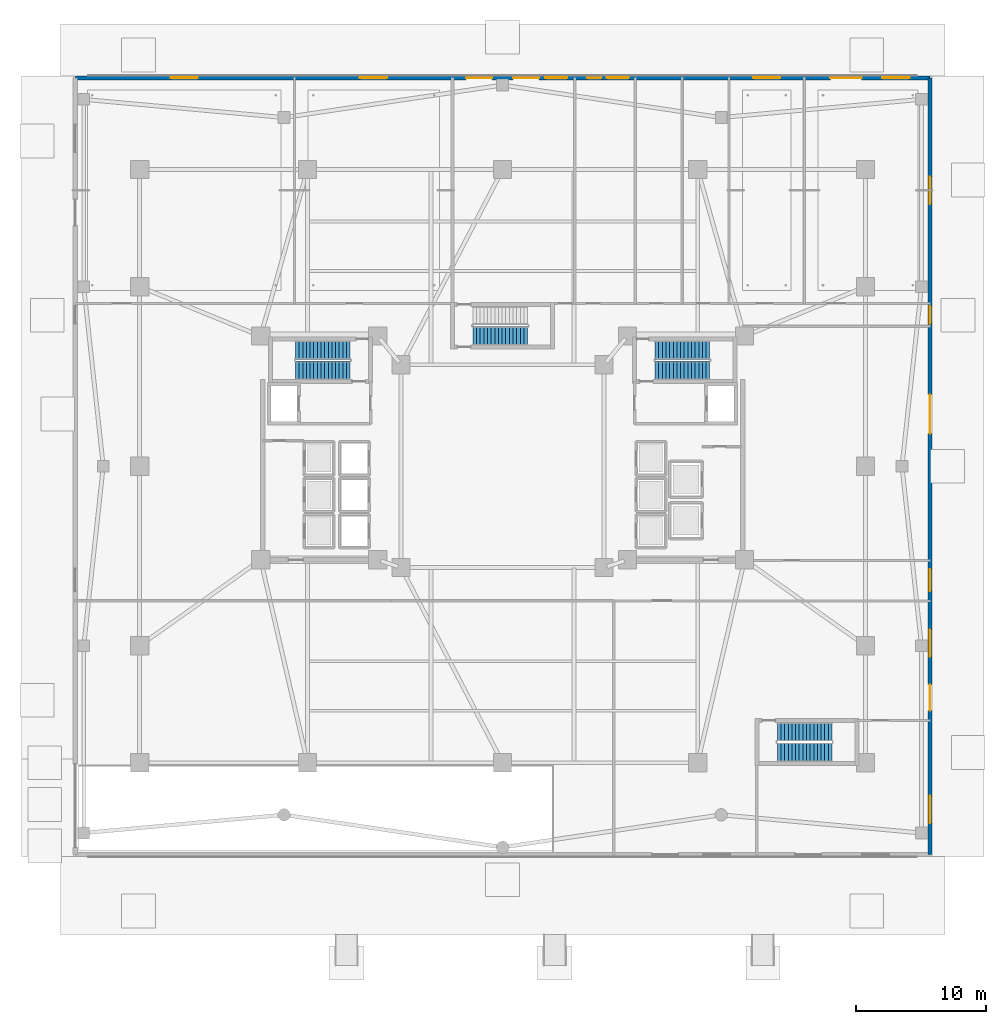
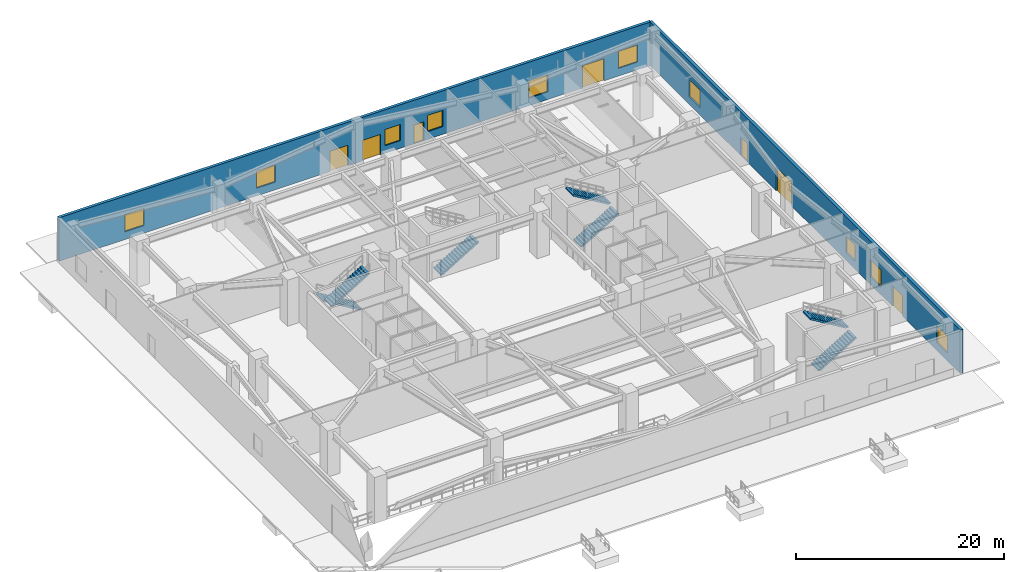
# One storey, part 6 of 18: 10 windows, 7 doors, 7 stair flights, 2 walls, 17 openings, 4 elements without a shape of their own.
"""IFC4 building model written with IfcOpenShell, lengths in metres."""

from ifc_helpers import new_model, si_unit, direction, frame, frame_2d, origin, place, context, subcontext, project, spatial, polyline, rectangle, outline, extrude, material, layer, layer_set, type_object, element, fill, aggregate, save


model = new_model("IFC4")

# Units and contexts
model_context = context("Model", 3, precision=1e-05, world=origin(), true_north=direction((0.0, 1.0)))
body_context = subcontext(model_context, "Body", "Model", "MODEL_VIEW")
ifc_project = project(units=[si_unit("LENGTHUNIT", "METRE"), si_unit("AREAUNIT", "SQUARE_METRE"), si_unit("VOLUMEUNIT", "CUBIC_METRE"), si_unit("PLANEANGLEUNIT", "RADIAN"), si_unit("MASSUNIT", "GRAM", prefix="KILO")], contexts=[model_context])

# Site, building, storey
site_placement = place(None, origin())
site = spatial("IfcSite", under=ifc_project, at=site_placement, CompositionType="ELEMENT")
building_placement = place(site_placement, origin())
building = spatial("IfcBuilding", under=site, at=building_placement, Name="Tarnavaz Court Tower", CompositionType="ELEMENT")
storey_placement = place(building_placement, origin())
storey = spatial("IfcBuildingStorey", under=building, at=storey_placement, Name="L00", CompositionType="ELEMENT", Elevation=0.0)

# Wall, openings, doors, windows
ifc_material_1 = material(Name="Precast Concrete C40/50", Category="concrete")
ifc_layer = layer(ifc_material_1, 0.320068359375)
ifc_layer_set = layer_set([ifc_layer], Name="Precast Concrete C40/50")
wall_type = type_object("IfcWallType", Name="WL-EXT-320", PredefinedType="SOLIDWALL", material=ifc_layer_set)
wall_1_placement = place(storey_placement, frame((-32.85009765625, 29.85009765625, 0.0), z_axis=(0.0, 0.0, 1.0), x_axis=(1.0, 0.0, 0.0)))
wall_1 = element("IfcWall", 1, at=wall_1_placement, inside=storey, type_object=wall_type, Name="L00 Exterior Terracotta Facade Wall 01", PredefinedType="SOLIDWALL", context=body_context, shape_type="SweptSolid", body=[
    extrude(rectangle(XDim=65.7001953125, YDim=0.320068359375, at=frame_2d((32.85009765625, 0.0))), origin(), (0.0, 0.0, 1.0), 5.10009765625),
])
opening_1_placement = place(wall_1_placement, frame((30.050048828125, 0.0, 0.0)))
opening_1 = element("IfcOpeningElement", 2, at=opening_1_placement, cuts=wall_1, Name="Opening EXD1", PredefinedType="OPENING", context=body_context, shape_type="SweptSolid", body=[
    extrude(rectangle(XDim=2.0, YDim=2.39990234375, at=frame_2d((1.0, 1.199951171875))), frame((0.0, 0.169921875, 0.0), z_axis=(0.0, -1.0, 0.0), x_axis=(1.0, 0.0, 0.0)), (0.0, 0.0, 1.0), 0.340087890625),
])
opening_2_placement = place(wall_1_placement, frame((33.64990234375, 0.0, 0.0)))
opening_2 = element("IfcOpeningElement", 3, at=opening_2_placement, cuts=wall_1, Name="Opening EXD1", PredefinedType="OPENING", context=body_context, shape_type="SweptSolid", body=[
    extrude(rectangle(XDim=2.0, YDim=2.39990234375, at=frame_2d((1.0, 1.199951171875))), frame((0.0, 0.169921875, 0.0), z_axis=(0.0, -1.0, 0.0), x_axis=(1.0, 0.0, 0.0)), (0.0, 0.0, 1.0), 0.340087890625),
])
opening_3_placement = place(wall_1_placement, frame((39.35009765625, 0.0, 0.0)))
opening_3 = element("IfcOpeningElement", 4, at=opening_3_placement, cuts=wall_1, Name="Opening TD1", PredefinedType="OPENING", context=body_context, shape_type="SweptSolid", body=[
    extrude(rectangle(XDim=1.10009765625, YDim=2.199951171875, at=frame_2d((0.550048828125, 1.10009765625))), frame((0.0, 0.169921875, 0.0), z_axis=(0.0, -1.0, 0.0), x_axis=(1.0, 0.0, 0.0)), (0.0, 0.0, 1.0), 0.340087890625),
])
opening_4_placement = place(wall_1_placement, frame((58.050048828125, 0.0, 0.0)))
opening_4 = element("IfcOpeningElement", 5, at=opening_4_placement, cuts=wall_1, Name="Opening END1", PredefinedType="OPENING", context=body_context, shape_type="SweptSolid", body=[
    extrude(rectangle(XDim=2.39990234375, YDim=2.60009765625, at=frame_2d((1.199951171875, 1.300048828125))), frame((0.0, 0.169921875, 0.0), z_axis=(0.0, -1.0, 0.0), x_axis=(1.0, 0.0, 0.0)), (0.0, 0.0, 1.0), 0.340087890625),
])
opening_5_placement = place(wall_1_placement, frame((7.324951171875, 0.0, 0.89990234375)))
opening_5 = element("IfcOpeningElement", 6, at=opening_5_placement, cuts=wall_1, Name="Opening W09", PredefinedType="OPENING", context=body_context, shape_type="SweptSolid", body=[
    extrude(rectangle(XDim=2.10009765625, YDim=2.0, at=frame_2d((1.050048828125, 1.0))), frame((0.0, 0.169921875, 0.0), z_axis=(0.0, -1.0, 0.0), x_axis=(1.0, 0.0, 0.0)), (0.0, 0.0, 1.0), 0.340087890625),
])
opening_6_placement = place(wall_1_placement, frame((21.875, 0.0, 0.89990234375)))
opening_6 = element("IfcOpeningElement", 7, at=opening_6_placement, cuts=wall_1, Name="Opening W09", PredefinedType="OPENING", context=body_context, shape_type="SweptSolid", body=[
    extrude(rectangle(XDim=2.10009765625, YDim=2.0, at=frame_2d((1.050048828125, 1.0))), frame((0.0, 0.169921875, 0.0), z_axis=(0.0, -1.0, 0.0), x_axis=(1.0, 0.0, 0.0)), (0.0, 0.0, 1.0), 0.340087890625),
])
opening_7_placement = place(wall_1_placement, frame((36.135009765625, 0.0, 0.89990234375)))
opening_7 = element("IfcOpeningElement", 8, at=opening_7_placement, cuts=wall_1, Name="Opening W10", PredefinedType="OPENING", context=body_context, shape_type="SweptSolid", body=[
    extrude(rectangle(XDim=1.699951171875, YDim=1.89990234375, at=frame_2d((0.85009765625, 0.949951171875))), frame((0.0, 0.169921875, 0.0), z_axis=(0.0, -1.0, 0.0), x_axis=(1.0, 0.0, 0.0)), (0.0, 0.0, 1.0), 0.340087890625),
])
opening_8_placement = place(wall_1_placement, frame((40.860107421875, 0.0, 0.89990234375)))
opening_8 = element("IfcOpeningElement", 9, at=opening_8_placement, cuts=wall_1, Name="Opening W10", PredefinedType="OPENING", context=body_context, shape_type="SweptSolid", body=[
    extrude(rectangle(XDim=1.699951171875, YDim=1.89990234375, at=frame_2d((0.85009765625, 0.949951171875))), frame((0.0, 0.169921875, 0.0), z_axis=(0.0, -1.0, 0.0), x_axis=(1.0, 0.0, 0.0)), (0.0, 0.0, 1.0), 0.340087890625),
])
opening_9_placement = place(wall_1_placement, frame((52.10009765625, 0.0, 0.89990234375)))
opening_9 = element("IfcOpeningElement", 10, at=opening_9_placement, cuts=wall_1, Name="Opening W09", PredefinedType="OPENING", context=body_context, shape_type="SweptSolid", body=[
    extrude(rectangle(XDim=2.10009765625, YDim=2.0, at=frame_2d((1.050048828125, 1.0))), frame((0.0, 0.169921875, 0.0), z_axis=(0.0, -1.0, 0.0), x_axis=(1.0, 0.0, 0.0)), (0.0, 0.0, 1.0), 0.340087890625),
])
opening_10_placement = place(wall_1_placement, frame((62.034912109375, 0.0, 0.89990234375)))
opening_10 = element("IfcOpeningElement", 11, at=opening_10_placement, cuts=wall_1, Name="Opening W09", PredefinedType="OPENING", context=body_context, shape_type="SweptSolid", body=[
    extrude(rectangle(XDim=2.10009765625, YDim=2.0, at=frame_2d((1.050048828125, 1.0))), frame((0.0, 0.169921875, 0.0), z_axis=(0.0, -1.0, 0.0), x_axis=(1.0, 0.0, 0.0)), (0.0, 0.0, 1.0), 0.340087890625),
])
ifc_material_2 = material(Name="Thermally Broken Aluminium and Laminated Glass", Category="aluminium")
door_type_1 = type_object("IfcDoorType", Name="DR-ENTR-2400", OperationType="NOTDEFINED", PredefinedType="DOOR", material=ifc_material_2)
door_1_placement = place(opening_4_placement, origin())
door_1 = element("IfcDoor", 12, at=door_1_placement, inside=storey, type_object=door_type_1, Name="L00 Main Residential Entrance Door", OperationType="DOUBLE_DOOR_SINGLE_SWING", OverallHeight=2.60009765625, OverallWidth=2.39990234375, PredefinedType="DOOR", context=body_context, shape_type="SweptSolid", body=[
    extrude(rectangle(XDim=2.39990234375, YDim=2.60009765625, at=frame_2d((1.199951171875, 1.300048828125))), frame((0.0, 0.02490234375, 0.0), z_axis=(0.0, -1.0, 0.0), x_axis=(1.0, 0.0, 0.0)), (0.0, 0.0, 1.0), 0.050048828125),
])
fill(opening_4, door_1)
door_type_2 = type_object("IfcDoorType", Name="DR-EXIT-2000", OperationType="NOTDEFINED", PredefinedType="DOOR", material=ifc_material_2)
door_2_placement = place(opening_1_placement, origin())
door_2 = element("IfcDoor", 13, at=door_2_placement, inside=storey, type_object=door_type_2, Name="L00 Pedestrian Final Exit Door EX-01", OperationType="DOUBLE_DOOR_SINGLE_SWING", OverallHeight=2.39990234375, OverallWidth=2.0, PredefinedType="DOOR", context=body_context, shape_type="SweptSolid", body=[
    extrude(rectangle(XDim=2.0, YDim=2.39990234375, at=frame_2d((1.0, 1.199951171875))), frame((0.0, 0.02490234375, 0.0), z_axis=(0.0, -1.0, 0.0), x_axis=(1.0, 0.0, 0.0)), (0.0, 0.0, 1.0), 0.050048828125),
])
fill(opening_1, door_2)
door_3_placement = place(opening_2_placement, origin())
door_3 = element("IfcDoor", 14, at=door_3_placement, inside=storey, type_object=door_type_2, Name="L00 Pedestrian Final Exit Door EX-02", OperationType="DOUBLE_DOOR_SINGLE_SWING", OverallHeight=2.39990234375, OverallWidth=2.0, PredefinedType="DOOR", context=body_context, shape_type="SweptSolid", body=[
    extrude(rectangle(XDim=2.0, YDim=2.39990234375, at=frame_2d((1.0, 1.199951171875))), frame((0.0, 0.02490234375, 0.0), z_axis=(0.0, -1.0, 0.0), x_axis=(1.0, 0.0, 0.0)), (0.0, 0.0, 1.0), 0.050048828125),
])
fill(opening_2, door_3)
door_type_3 = type_object("IfcDoorType", Name="DR-TERR-1100", OperationType="NOTDEFINED", PredefinedType="DOOR", material=ifc_material_2)
door_4_placement = place(opening_3_placement, origin())
door_4 = element("IfcDoor", 15, at=door_4_placement, inside=storey, type_object=door_type_3, Name="L00 Emergency Fire Command Centre Exterior Door", OperationType="SINGLE_SWING_LEFT", OverallHeight=2.199951171875, OverallWidth=1.10009765625, PredefinedType="DOOR", context=body_context, shape_type="SweptSolid", body=[
    extrude(rectangle(XDim=1.10009765625, YDim=2.199951171875, at=frame_2d((0.550048828125, 1.10009765625))), frame((0.0, 0.02490234375, 0.0), z_axis=(0.0, -1.0, 0.0), x_axis=(1.0, 0.0, 0.0)), (0.0, 0.0, 1.0), 0.050048828125),
])
fill(opening_3, door_4)
ifc_material_3 = material(Name="Double-Glazed Solar Low-E Glass", Category="glass")
window_type_1 = type_object("IfcWindowType", Name="WN-CLN-1700", PartitioningType="DOUBLE_PANEL_VERTICAL", PredefinedType="WINDOW", material=ifc_material_3)
window_1_placement = place(opening_7_placement, origin())
window_1 = element("IfcWindow", 16, at=window_1_placement, inside=storey, type_object=window_type_1, Name="L00 North Protected Exit Passageway Window", OverallHeight=1.89990234375, OverallWidth=1.699951171875, PartitioningType="SINGLE_PANEL", PredefinedType="WINDOW", context=body_context, shape_type="SweptSolid", body=[
    extrude(rectangle(XDim=1.699951171875, YDim=1.89990234375, at=frame_2d((0.85009765625, 0.949951171875))), frame((0.0, 0.030029296875, 0.0), z_axis=(0.0, -1.0, 0.0), x_axis=(1.0, 0.0, 0.0)), (0.0, 0.0, 1.0), 0.06005859375),
])
fill(opening_7, window_1)
window_2_placement = place(opening_8_placement, origin())
window_2 = element("IfcWindow", 17, at=window_2_placement, inside=storey, type_object=window_type_1, Name="L00 Emergency Fire Command Centre Window", OverallHeight=1.89990234375, OverallWidth=1.699951171875, PartitioningType="SINGLE_PANEL", PredefinedType="WINDOW", context=body_context, shape_type="SweptSolid", body=[
    extrude(rectangle(XDim=1.699951171875, YDim=1.89990234375, at=frame_2d((0.85009765625, 0.949951171875))), frame((0.0, 0.030029296875, 0.0), z_axis=(0.0, -1.0, 0.0), x_axis=(1.0, 0.0, 0.0)), (0.0, 0.0, 1.0), 0.06005859375),
])
fill(opening_8, window_2)
window_type_2 = type_object("IfcWindowType", Name="WN-CLN-2100", PartitioningType="DOUBLE_PANEL_VERTICAL", PredefinedType="WINDOW", material=ifc_material_3)
window_3_placement = place(opening_5_placement, origin())
window_3 = element("IfcWindow", 18, at=window_3_placement, inside=storey, type_object=window_type_2, Name="L00 Outpatient Clinic Triage and Registration Hall Window", OverallHeight=2.0, OverallWidth=2.10009765625, PartitioningType="SINGLE_PANEL", PredefinedType="WINDOW", context=body_context, shape_type="SweptSolid", body=[
    extrude(rectangle(XDim=2.10009765625, YDim=2.0, at=frame_2d((1.050048828125, 1.0))), frame((0.0, 0.030029296875, 0.0), z_axis=(0.0, -1.0, 0.0), x_axis=(1.0, 0.0, 0.0)), (0.0, 0.0, 1.0), 0.06005859375),
])
fill(opening_5, window_3)
window_4_placement = place(opening_6_placement, origin())
window_4 = element("IfcWindow", 19, at=window_4_placement, inside=storey, type_object=window_type_2, Name="L00 Outpatient Pharmacy and Dispensary Window", OverallHeight=2.0, OverallWidth=2.10009765625, PartitioningType="SINGLE_PANEL", PredefinedType="WINDOW", context=body_context, shape_type="SweptSolid", body=[
    extrude(rectangle(XDim=2.10009765625, YDim=2.0, at=frame_2d((1.050048828125, 1.0))), frame((0.0, 0.030029296875, 0.0), z_axis=(0.0, -1.0, 0.0), x_axis=(1.0, 0.0, 0.0)), (0.0, 0.0, 1.0), 0.06005859375),
])
fill(opening_6, window_4)
window_5_placement = place(opening_9_placement, origin())
window_5 = element("IfcWindow", 20, at=window_5_placement, inside=storey, type_object=window_type_2, Name="L00 Primary Care Consultation Suite Window", OverallHeight=2.0, OverallWidth=2.10009765625, PartitioningType="SINGLE_PANEL", PredefinedType="WINDOW", context=body_context, shape_type="SweptSolid", body=[
    extrude(rectangle(XDim=2.10009765625, YDim=2.0, at=frame_2d((1.050048828125, 1.0))), frame((0.0, 0.030029296875, 0.0), z_axis=(0.0, -1.0, 0.0), x_axis=(1.0, 0.0, 0.0)), (0.0, 0.0, 1.0), 0.06005859375),
])
fill(opening_9, window_5)
window_6_placement = place(opening_10_placement, origin())
window_6 = element("IfcWindow", 21, at=window_6_placement, inside=storey, type_object=window_type_2, Name="L00 Main Residential Entrance Lobby Window", OverallHeight=2.0, OverallWidth=2.10009765625, PartitioningType="SINGLE_PANEL", PredefinedType="WINDOW", context=body_context, shape_type="SweptSolid", body=[
    extrude(rectangle(XDim=2.10009765625, YDim=2.0, at=frame_2d((1.050048828125, 1.0))), frame((0.0, 0.030029296875, 0.0), z_axis=(0.0, -1.0, 0.0), x_axis=(1.0, 0.0, 0.0)), (0.0, 0.0, 1.0), 0.06005859375),
])
fill(opening_10, window_6)

wall_2_placement = place(storey_placement, frame((32.85009765625, 29.85009765625, 0.0), z_axis=(0.0, 0.0, 1.0), x_axis=(0.0, -1.0, 0.0)))
wall_2 = element("IfcWall", 22, at=wall_2_placement, inside=storey, type_object=wall_type, Name="L00 Exterior Terracotta Facade Wall 02", PredefinedType="SOLIDWALL", context=body_context, shape_type="SweptSolid", body=[
    extrude(rectangle(XDim=59.7001953125, YDim=0.320068359375, at=frame_2d((29.85009765625, 0.0))), origin(), (0.0, 0.0, 1.0), 5.10009765625),
])
opening_11_placement = place(wall_2_placement, frame((17.550048828125, 0.0, 0.0)))
opening_11 = element("IfcOpeningElement", 23, at=opening_11_placement, cuts=wall_2, Name="Opening EXD2", PredefinedType="OPENING", context=body_context, shape_type="SweptSolid", body=[
    extrude(rectangle(XDim=1.35009765625, YDim=2.199951171875, at=frame_2d((0.675048828125, 1.10009765625))), frame((0.0, 0.169921875, 0.0), z_axis=(0.0, -1.0, 0.0), x_axis=(1.0, 0.0, 0.0)), (0.0, 0.0, 1.0), 0.340087890625),
])
opening_12_placement = place(wall_2_placement, frame((46.64990234375, 0.0, 0.0)))
opening_12 = element("IfcOpeningElement", 24, at=opening_12_placement, cuts=wall_2, Name="Opening EXD1", PredefinedType="OPENING", context=body_context, shape_type="SweptSolid", body=[
    extrude(rectangle(XDim=2.0, YDim=2.39990234375, at=frame_2d((1.0, 1.199951171875))), frame((0.0, 0.169921875, 0.0), z_axis=(0.0, -1.0, 0.0), x_axis=(1.0, 0.0, 0.0)), (0.0, 0.0, 1.0), 0.340087890625),
])
opening_13_placement = place(wall_2_placement, frame((24.35009765625, 0.0, 0.0)))
opening_13 = element("IfcOpeningElement", 25, at=opening_13_placement, cuts=wall_2, Name="Opening VG2", PredefinedType="OPENING", context=body_context, shape_type="SweptSolid", body=[
    extrude(rectangle(XDim=3.0, YDim=2.800048828125, at=frame_2d((1.5, 1.39990234375))), frame((0.0, 0.169921875, 0.0), z_axis=(0.0, -1.0, 0.0), x_axis=(1.0, 0.0, 0.0)), (0.0, 0.0, 1.0), 0.340087890625),
])
opening_14_placement = place(wall_2_placement, frame((7.60009765625, 0.0, 0.89990234375)))
opening_14 = element("IfcOpeningElement", 26, at=opening_14_placement, cuts=wall_2, Name="Opening W09", PredefinedType="OPENING", context=body_context, shape_type="SweptSolid", body=[
    extrude(rectangle(XDim=2.10009765625, YDim=2.0, at=frame_2d((1.050048828125, 1.0))), frame((0.0, 0.169921875, 0.0), z_axis=(0.0, -1.0, 0.0), x_axis=(1.0, 0.0, 0.0)), (0.0, 0.0, 1.0), 0.340087890625),
])
opening_15_placement = place(wall_2_placement, frame((37.757568359375, 0.0, 0.89990234375)))
opening_15 = element("IfcOpeningElement", 27, at=opening_15_placement, cuts=wall_2, Name="Opening W10", PredefinedType="OPENING", context=body_context, shape_type="SweptSolid", body=[
    extrude(rectangle(XDim=1.699951171875, YDim=1.89990234375, at=frame_2d((0.85009765625, 0.949951171875))), frame((0.0, 0.169921875, 0.0), z_axis=(0.0, -1.0, 0.0), x_axis=(1.0, 0.0, 0.0)), (0.0, 0.0, 1.0), 0.340087890625),
])
opening_16_placement = place(wall_2_placement, frame((42.4150390625, 0.0, 0.89990234375)))
opening_16 = element("IfcOpeningElement", 28, at=opening_16_placement, cuts=wall_2, Name="Opening W09", PredefinedType="OPENING", context=body_context, shape_type="SweptSolid", body=[
    extrude(rectangle(XDim=2.10009765625, YDim=2.0, at=frame_2d((1.050048828125, 1.0))), frame((0.0, 0.169921875, 0.0), z_axis=(0.0, -1.0, 0.0), x_axis=(1.0, 0.0, 0.0)), (0.0, 0.0, 1.0), 0.340087890625),
])
opening_17_placement = place(wall_2_placement, frame((55.199951171875, 0.0, 0.89990234375)))
opening_17 = element("IfcOpeningElement", 29, at=opening_17_placement, cuts=wall_2, Name="Opening W09", PredefinedType="OPENING", context=body_context, shape_type="SweptSolid", body=[
    extrude(rectangle(XDim=2.10009765625, YDim=2.0, at=frame_2d((1.050048828125, 1.0))), frame((0.0, 0.169921875, 0.0), z_axis=(0.0, -1.0, 0.0), x_axis=(1.0, 0.0, 0.0)), (0.0, 0.0, 1.0), 0.340087890625),
])
door_type_4 = type_object("IfcDoorType", Name="DR-EXIT-1350", OperationType="NOTDEFINED", PredefinedType="DOOR", material=ifc_material_2)
door_5_placement = place(opening_11_placement, origin())
door_5 = element("IfcDoor", 30, at=door_5_placement, inside=storey, type_object=door_type_4, Name="L00 East Protected Corridor Final Exit Door EX-E1", OperationType="DOUBLE_DOOR_SINGLE_SWING", OverallHeight=2.199951171875, OverallWidth=1.35009765625, PredefinedType="DOOR", context=body_context, shape_type="SweptSolid", body=[
    extrude(rectangle(XDim=1.35009765625, YDim=2.199951171875, at=frame_2d((0.675048828125, 1.10009765625))), frame((0.0, 0.02490234375, 0.0), z_axis=(0.0, -1.0, 0.0), x_axis=(1.0, 0.0, 0.0)), (0.0, 0.0, 1.0), 0.050048828125),
])
fill(opening_11, door_5)
door_6_placement = place(opening_12_placement, origin())
door_6 = element("IfcDoor", 31, at=door_6_placement, inside=storey, type_object=door_type_2, Name="L00 East Podium Pedestrian Final Exit Door EX-06", OperationType="DOUBLE_DOOR_SINGLE_SWING", OverallHeight=2.39990234375, OverallWidth=2.0, PredefinedType="DOOR", context=body_context, shape_type="SweptSolid", body=[
    extrude(rectangle(XDim=2.0, YDim=2.39990234375, at=frame_2d((1.0, 1.199951171875))), frame((0.0, 0.02490234375, 0.0), z_axis=(0.0, -1.0, 0.0), x_axis=(1.0, 0.0, 0.0)), (0.0, 0.0, 1.0), 0.050048828125),
])
fill(opening_12, door_6)
ifc_material_4 = material(Name="Galvanized Powder-Coated Steel Sheet", Category="steel")
door_type_5 = type_object("IfcDoorType", Name="DR-SGATE-3000", OperationType="NOTDEFINED", PredefinedType="GATE", material=ifc_material_4)
door_7_placement = place(opening_13_placement, origin())
door_7 = element("IfcDoor", 32, at=door_7_placement, inside=storey, type_object=door_type_5, Name="L00 East Service Loading Gate SG-01", OperationType="ROLLINGUP", OverallHeight=2.800048828125, OverallWidth=3.0, PredefinedType="GATE", context=body_context, shape_type="SweptSolid", body=[
    extrude(rectangle(XDim=3.0, YDim=2.800048828125, at=frame_2d((1.5, 1.39990234375))), frame((0.0, 0.02490234375, 0.0), z_axis=(0.0, -1.0, 0.0), x_axis=(1.0, 0.0, 0.0)), (0.0, 0.0, 1.0), 0.050048828125),
])
fill(opening_13, door_7)
window_7_placement = place(opening_15_placement, origin())
window_7 = element("IfcWindow", 33, at=window_7_placement, inside=storey, type_object=window_type_1, Name="L00 South-East Wing Corridor Window", OverallHeight=1.89990234375, OverallWidth=1.699951171875, PartitioningType="SINGLE_PANEL", PredefinedType="WINDOW", context=body_context, shape_type="SweptSolid", body=[
    extrude(rectangle(XDim=1.699951171875, YDim=1.89990234375, at=frame_2d((0.85009765625, 0.949951171875))), frame((0.0, 0.030029296875, 0.0), z_axis=(0.0, -1.0, 0.0), x_axis=(1.0, 0.0, 0.0)), (0.0, 0.0, 1.0), 0.06005859375),
])
fill(opening_15, window_7)
window_8_placement = place(opening_14_placement, origin())
window_8 = element("IfcWindow", 34, at=window_8_placement, inside=storey, type_object=window_type_2, Name="L00 Main Residential Entrance Lobby Window", OverallHeight=2.0, OverallWidth=2.10009765625, PartitioningType="SINGLE_PANEL", PredefinedType="WINDOW", context=body_context, shape_type="SweptSolid", body=[
    extrude(rectangle(XDim=2.10009765625, YDim=2.0, at=frame_2d((1.050048828125, 1.0))), frame((0.0, 0.030029296875, 0.0), z_axis=(0.0, -1.0, 0.0), x_axis=(1.0, 0.0, 0.0)), (0.0, 0.0, 1.0), 0.06005859375),
])
fill(opening_14, window_8)
window_9_placement = place(opening_16_placement, origin())
window_9 = element("IfcWindow", 35, at=window_9_placement, inside=storey, type_object=window_type_2, Name="L00 South Chahar-Bagh Arrival Lobby Window", OverallHeight=2.0, OverallWidth=2.10009765625, PartitioningType="SINGLE_PANEL", PredefinedType="WINDOW", context=body_context, shape_type="SweptSolid", body=[
    extrude(rectangle(XDim=2.10009765625, YDim=2.0, at=frame_2d((1.050048828125, 1.0))), frame((0.0, 0.030029296875, 0.0), z_axis=(0.0, -1.0, 0.0), x_axis=(1.0, 0.0, 0.0)), (0.0, 0.0, 1.0), 0.06005859375),
])
fill(opening_16, window_9)
window_10_placement = place(opening_17_placement, origin())
window_10 = element("IfcWindow", 36, at=window_10_placement, inside=storey, type_object=window_type_2, Name="L00 South-East Podium Exit Vestibule Window", OverallHeight=2.0, OverallWidth=2.10009765625, PartitioningType="SINGLE_PANEL", PredefinedType="WINDOW", context=body_context, shape_type="SweptSolid", body=[
    extrude(rectangle(XDim=2.10009765625, YDim=2.0, at=frame_2d((1.050048828125, 1.0))), frame((0.0, 0.030029296875, 0.0), z_axis=(0.0, -1.0, 0.0), x_axis=(1.0, 0.0, 0.0)), (0.0, 0.0, 1.0), 0.06005859375),
])
fill(opening_17, window_10)

# Stair, stair flights
ifc_material_5 = material(Name="Concrete C40/50", Category="concrete")
stair_type = type_object("IfcStairType", Name="ST-TWR-32R", PredefinedType="HALF_TURN_STAIR", material=ifc_material_5)
stair_1_placement = place(storey_placement, origin())
stair_1 = element("IfcStair", 37, at=stair_1_placement, inside=storey, type_object=stair_type, Name="L00 West Core Pressurized Exit Stair ST-W1", PredefinedType="HALF_TURN_STAIR")
stair_flight_type = type_object("IfcStairFlightType", Name="SFL-RC-32R", PredefinedType="STRAIGHT", material=ifc_material_5)
stair_flight_1_placement = place(storey_placement, frame((-11.719970703125, 8.929931640625, 0.0), z_axis=(0.0, 0.0, 1.0), x_axis=(-1.0, 0.0, 0.0)))
stair_flight_1 = element("IfcStairFlight", 38, at=stair_flight_1_placement, type_object=stair_flight_type, Name="ST-W1 flight 1", NumberOfRisers=16, NumberOfTreads=15, PredefinedType="STRAIGHT", RiserHeight=0.16875, TreadLength=0.28, context=body_context, shape_type="SweptSolid", body=[
    extrude(outline(polyline([(0.0, 0.0), (0.0, 0.168701171875), (0.280029296875, 0.168701171875), (0.280029296875, 0.33740234375), (0.56005859375, 0.33740234375), (0.56005859375, 0.50634765625), (0.840087890625, 0.50634765625), (0.840087890625, 0.675048828125), (1.1201171875, 0.675048828125), (1.1201171875, 0.84375), (1.39990234375, 0.84375), (1.39990234375, 1.012451171875), (1.679931640625, 1.012451171875), (1.679931640625, 1.18115234375), (1.9599609375, 1.18115234375), (1.9599609375, 1.35009765625), (2.239990234375, 1.35009765625), (2.239990234375, 1.518798828125), (2.52001953125, 1.518798828125), (2.52001953125, 1.6875), (2.800048828125, 1.6875), (2.800048828125, 1.856201171875), (3.080078125, 1.856201171875), (3.080078125, 2.02490234375), (3.360107421875, 2.02490234375), (3.360107421875, 2.19384765625), (3.639892578125, 2.19384765625), (3.639892578125, 2.362548828125), (3.919921875, 2.362548828125), (3.919921875, 2.53125), (4.199951171875, 2.53125), (4.199951171875, 2.699951171875), (4.199951171875, 2.356201171875), (0.29052734375, 0.0), (0.0, 0.0)])), frame((0.0, 0.7099609375, 0.0), z_axis=(0.0, -1.0, 0.0), x_axis=(1.0, 0.0, 0.0)), (0.0, 0.0, 1.0), 1.419921875),
])
stair_flight_2_placement = place(storey_placement, frame((-15.919921875, 7.360107421875, 2.699951171875), z_axis=(0.0, 0.0, 1.0), x_axis=(1.0, 0.0, 0.0)))
stair_flight_2 = element("IfcStairFlight", 39, at=stair_flight_2_placement, type_object=stair_flight_type, Name="ST-W1 flight 2", NumberOfRisers=16, NumberOfTreads=15, PredefinedType="STRAIGHT", RiserHeight=0.16875, TreadLength=0.28, context=body_context, shape_type="SweptSolid", body=[
    extrude(outline(polyline([(0.0, 0.0), (0.0, 0.168701171875), (0.280029296875, 0.168701171875), (0.280029296875, 0.33740234375), (0.56005859375, 0.33740234375), (0.56005859375, 0.50634765625), (0.840087890625, 0.50634765625), (0.840087890625, 0.675048828125), (1.1201171875, 0.675048828125), (1.1201171875, 0.84375), (1.39990234375, 0.84375), (1.39990234375, 1.012451171875), (1.679931640625, 1.012451171875), (1.679931640625, 1.18115234375), (1.9599609375, 1.18115234375), (1.9599609375, 1.35009765625), (2.239990234375, 1.35009765625), (2.239990234375, 1.518798828125), (2.52001953125, 1.518798828125), (2.52001953125, 1.6875), (2.800048828125, 1.6875), (2.800048828125, 1.856201171875), (3.080078125, 1.856201171875), (3.080078125, 2.02490234375), (3.360107421875, 2.02490234375), (3.360107421875, 2.19384765625), (3.639892578125, 2.19384765625), (3.639892578125, 2.362548828125), (3.919921875, 2.362548828125), (3.919921875, 2.53125), (4.199951171875, 2.53125), (4.199951171875, 2.699951171875), (4.199951171875, 2.356201171875), (0.29052734375, 0.0), (0.0, 0.0)])), frame((0.0, 0.7099609375, 0.0), z_axis=(0.0, -1.0, 0.0), x_axis=(1.0, 0.0, 0.0)), (0.0, 0.0, 1.0), 1.419921875),
])
aggregate(stair_1, [stair_flight_1, stair_flight_2])

stair_2_placement = place(storey_placement, origin())
stair_2 = element("IfcStair", 40, at=stair_2_placement, inside=storey, type_object=stair_type, Name="L00 East Core Pressurized Exit Stair ST-E1", PredefinedType="HALF_TURN_STAIR")
stair_flight_3_placement = place(storey_placement, frame((11.719970703125, 7.360107421875, 0.0), z_axis=(0.0, 0.0, 1.0), x_axis=(1.0, 0.0, 0.0)))
stair_flight_3 = element("IfcStairFlight", 41, at=stair_flight_3_placement, type_object=stair_flight_type, Name="ST-E1 flight 1", NumberOfRisers=16, NumberOfTreads=15, PredefinedType="STRAIGHT", RiserHeight=0.16875, TreadLength=0.28, context=body_context, shape_type="SweptSolid", body=[
    extrude(outline(polyline([(0.0, 0.0), (0.0, 0.168701171875), (0.280029296875, 0.168701171875), (0.280029296875, 0.33740234375), (0.56005859375, 0.33740234375), (0.56005859375, 0.50634765625), (0.840087890625, 0.50634765625), (0.840087890625, 0.675048828125), (1.1201171875, 0.675048828125), (1.1201171875, 0.84375), (1.39990234375, 0.84375), (1.39990234375, 1.012451171875), (1.679931640625, 1.012451171875), (1.679931640625, 1.18115234375), (1.9599609375, 1.18115234375), (1.9599609375, 1.35009765625), (2.239990234375, 1.35009765625), (2.239990234375, 1.518798828125), (2.52001953125, 1.518798828125), (2.52001953125, 1.6875), (2.800048828125, 1.6875), (2.800048828125, 1.856201171875), (3.080078125, 1.856201171875), (3.080078125, 2.02490234375), (3.360107421875, 2.02490234375), (3.360107421875, 2.19384765625), (3.639892578125, 2.19384765625), (3.639892578125, 2.362548828125), (3.919921875, 2.362548828125), (3.919921875, 2.53125), (4.199951171875, 2.53125), (4.199951171875, 2.699951171875), (4.199951171875, 2.356201171875), (0.29052734375, 0.0), (0.0, 0.0)])), frame((0.0, 0.7099609375, 0.0), z_axis=(0.0, -1.0, 0.0), x_axis=(1.0, 0.0, 0.0)), (0.0, 0.0, 1.0), 1.419921875),
])
stair_flight_4_placement = place(storey_placement, frame((15.919921875, 8.929931640625, 2.699951171875), z_axis=(0.0, 0.0, 1.0), x_axis=(-1.0, 0.0, 0.0)))
stair_flight_4 = element("IfcStairFlight", 42, at=stair_flight_4_placement, type_object=stair_flight_type, Name="ST-E1 flight 2", NumberOfRisers=16, NumberOfTreads=15, PredefinedType="STRAIGHT", RiserHeight=0.16875, TreadLength=0.28, context=body_context, shape_type="SweptSolid", body=[
    extrude(outline(polyline([(0.0, 0.0), (0.0, 0.168701171875), (0.280029296875, 0.168701171875), (0.280029296875, 0.33740234375), (0.56005859375, 0.33740234375), (0.56005859375, 0.50634765625), (0.840087890625, 0.50634765625), (0.840087890625, 0.675048828125), (1.1201171875, 0.675048828125), (1.1201171875, 0.84375), (1.39990234375, 0.84375), (1.39990234375, 1.012451171875), (1.679931640625, 1.012451171875), (1.679931640625, 1.18115234375), (1.9599609375, 1.18115234375), (1.9599609375, 1.35009765625), (2.239990234375, 1.35009765625), (2.239990234375, 1.518798828125), (2.52001953125, 1.518798828125), (2.52001953125, 1.6875), (2.800048828125, 1.6875), (2.800048828125, 1.856201171875), (3.080078125, 1.856201171875), (3.080078125, 2.02490234375), (3.360107421875, 2.02490234375), (3.360107421875, 2.19384765625), (3.639892578125, 2.19384765625), (3.639892578125, 2.362548828125), (3.919921875, 2.362548828125), (3.919921875, 2.53125), (4.199951171875, 2.53125), (4.199951171875, 2.699951171875), (4.199951171875, 2.356201171875), (0.29052734375, 0.0), (0.0, 0.0)])), frame((0.0, 0.7099609375, 0.0), z_axis=(0.0, -1.0, 0.0), x_axis=(1.0, 0.0, 0.0)), (0.0, 0.0, 1.0), 1.419921875),
])
aggregate(stair_2, [stair_flight_3, stair_flight_4])

# Stair, stair flight
stair_3_placement = place(storey_placement, origin())
stair_3 = element("IfcStair", 43, at=stair_3_placement, inside=storey, type_object=stair_type, Name="L00 North Ring Pressurized Exit Stair ST-N1", PredefinedType="HALF_TURN_STAIR")
stair_flight_5_placement = place(storey_placement, frame((-2.280029296875, 10.010009765625, 0.0), z_axis=(0.0, 0.0, 1.0), x_axis=(1.0, 0.0, 0.0)))
stair_flight_5 = element("IfcStairFlight", 44, at=stair_flight_5_placement, type_object=stair_flight_type, Name="ST-N1 flight 1", NumberOfRisers=16, NumberOfTreads=15, PredefinedType="STRAIGHT", RiserHeight=0.16875, TreadLength=0.28, context=body_context, shape_type="SweptSolid", body=[
    extrude(outline(polyline([(0.0, 0.0), (0.0, 0.168701171875), (0.280029296875, 0.168701171875), (0.280029296875, 0.33740234375), (0.56005859375, 0.33740234375), (0.56005859375, 0.50634765625), (0.840087890625, 0.50634765625), (0.840087890625, 0.675048828125), (1.1201171875, 0.675048828125), (1.1201171875, 0.84375), (1.39990234375, 0.84375), (1.39990234375, 1.012451171875), (1.679931640625, 1.012451171875), (1.679931640625, 1.18115234375), (1.9599609375, 1.18115234375), (1.9599609375, 1.35009765625), (2.239990234375, 1.35009765625), (2.239990234375, 1.518798828125), (2.52001953125, 1.518798828125), (2.52001953125, 1.6875), (2.800048828125, 1.6875), (2.800048828125, 1.856201171875), (3.080078125, 1.856201171875), (3.080078125, 2.02490234375), (3.360107421875, 2.02490234375), (3.360107421875, 2.19384765625), (3.639892578125, 2.19384765625), (3.639892578125, 2.362548828125), (3.919921875, 2.362548828125), (3.919921875, 2.53125), (4.199951171875, 2.53125), (4.199951171875, 2.699951171875), (4.199951171875, 2.356201171875), (0.29052734375, 0.0), (0.0, 0.0)])), frame((0.0, 0.7099609375, 0.0), z_axis=(0.0, -1.0, 0.0), x_axis=(1.0, 0.0, 0.0)), (0.0, 0.0, 1.0), 1.419921875),
])
aggregate(stair_3, [stair_flight_5])

# Stair, stair flights
stair_4_placement = place(storey_placement, origin())
stair_4 = element("IfcStair", 45, at=stair_4_placement, inside=storey, type_object=stair_type, Name="L00 Podium Clinic Exit Stair ST-P1", PredefinedType="HALF_TURN_STAIR")
stair_flight_6_placement = place(storey_placement, frame((21.1201171875, -21.989990234375, 0.0), z_axis=(0.0, 0.0, 1.0), x_axis=(1.0, 0.0, 0.0)))
stair_flight_6 = element("IfcStairFlight", 46, at=stair_flight_6_placement, type_object=stair_flight_type, Name="ST-P1 flight 1", NumberOfRisers=16, NumberOfTreads=15, PredefinedType="STRAIGHT", RiserHeight=0.16875, TreadLength=0.28, context=body_context, shape_type="SweptSolid", body=[
    extrude(outline(polyline([(0.0, 0.0), (0.0, 0.168701171875), (0.280029296875, 0.168701171875), (0.280029296875, 0.33740234375), (0.56005859375, 0.33740234375), (0.56005859375, 0.50634765625), (0.840087890625, 0.50634765625), (0.840087890625, 0.675048828125), (1.1201171875, 0.675048828125), (1.1201171875, 0.84375), (1.39990234375, 0.84375), (1.39990234375, 1.012451171875), (1.679931640625, 1.012451171875), (1.679931640625, 1.18115234375), (1.9599609375, 1.18115234375), (1.9599609375, 1.35009765625), (2.239990234375, 1.35009765625), (2.239990234375, 1.518798828125), (2.52001953125, 1.518798828125), (2.52001953125, 1.6875), (2.800048828125, 1.6875), (2.800048828125, 1.856201171875), (3.080078125, 1.856201171875), (3.080078125, 2.02490234375), (3.360107421875, 2.02490234375), (3.360107421875, 2.19384765625), (3.639892578125, 2.19384765625), (3.639892578125, 2.362548828125), (3.919921875, 2.362548828125), (3.919921875, 2.53125), (4.199951171875, 2.53125), (4.199951171875, 2.699951171875), (4.199951171875, 2.356201171875), (0.29052734375, 0.0), (0.0, 0.0)])), frame((0.0, 0.7099609375, 0.0), z_axis=(0.0, -1.0, 0.0), x_axis=(1.0, 0.0, 0.0)), (0.0, 0.0, 1.0), 1.419921875),
])
stair_flight_7_placement = place(storey_placement, frame((25.320068359375, -20.419921875, 2.699951171875), z_axis=(0.0, 0.0, 1.0), x_axis=(-1.0, 0.0, 0.0)))
stair_flight_7 = element("IfcStairFlight", 47, at=stair_flight_7_placement, type_object=stair_flight_type, Name="ST-P1 flight 2", NumberOfRisers=16, NumberOfTreads=15, PredefinedType="STRAIGHT", RiserHeight=0.16875, TreadLength=0.28, context=body_context, shape_type="SweptSolid", body=[
    extrude(outline(polyline([(0.0, 0.0), (0.0, 0.168701171875), (0.280029296875, 0.168701171875), (0.280029296875, 0.33740234375), (0.56005859375, 0.33740234375), (0.56005859375, 0.50634765625), (0.840087890625, 0.50634765625), (0.840087890625, 0.675048828125), (1.1201171875, 0.675048828125), (1.1201171875, 0.84375), (1.39990234375, 0.84375), (1.39990234375, 1.012451171875), (1.679931640625, 1.012451171875), (1.679931640625, 1.18115234375), (1.9599609375, 1.18115234375), (1.9599609375, 1.35009765625), (2.239990234375, 1.35009765625), (2.239990234375, 1.518798828125), (2.52001953125, 1.518798828125), (2.52001953125, 1.6875), (2.800048828125, 1.6875), (2.800048828125, 1.856201171875), (3.080078125, 1.856201171875), (3.080078125, 2.02490234375), (3.360107421875, 2.02490234375), (3.360107421875, 2.19384765625), (3.639892578125, 2.19384765625), (3.639892578125, 2.362548828125), (3.919921875, 2.362548828125), (3.919921875, 2.53125), (4.199951171875, 2.53125), (4.199951171875, 2.699951171875), (4.199951171875, 2.356201171875), (0.29052734375, 0.0), (0.0, 0.0)])), frame((0.0, 0.7099609375, 0.0), z_axis=(0.0, -1.0, 0.0), x_axis=(1.0, 0.0, 0.0)), (0.0, 0.0, 1.0), 1.419921875),
])
aggregate(stair_4, [stair_flight_6, stair_flight_7])

save(model, "model.ifc")
